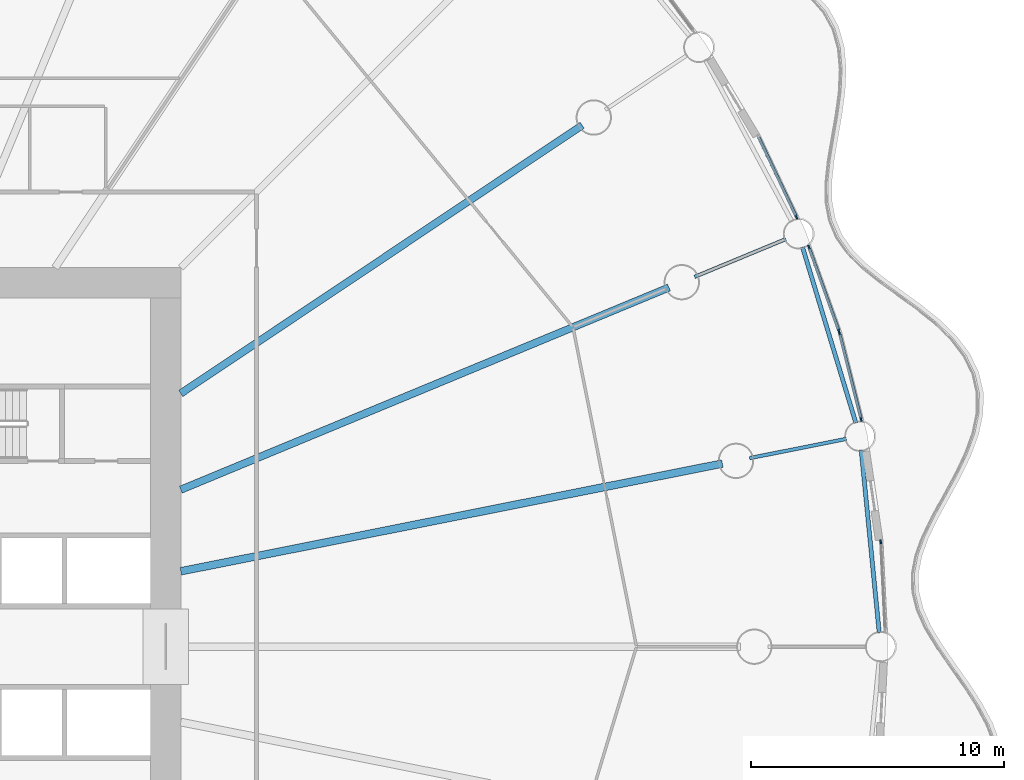
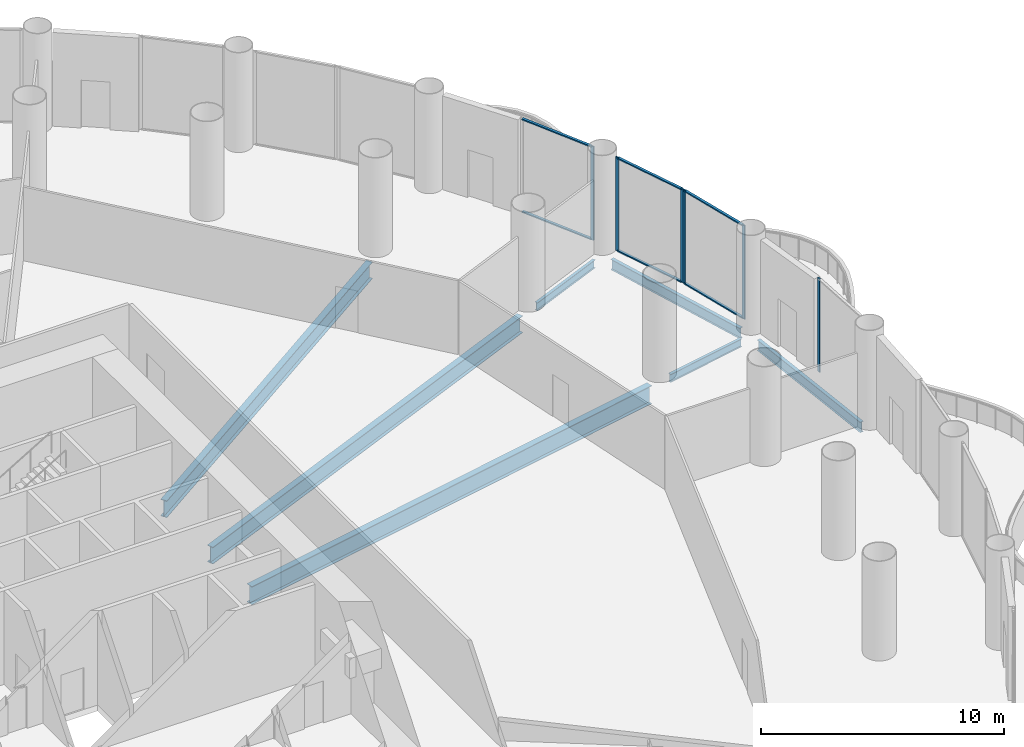
# One storey, part 14 of 36: 12 members, 7 beams, 4 elements without a shape of their own.
"""IFC4 building model written with IfcOpenShell, lengths in metres."""

import ifcopenshell
import ifcopenshell.guid

model = None  # the IFC model being written
_history = None  # IfcOwnerHistory: only IFC2X3 demands one
_inside = {}  # id of a spatial element -> (the spatial element, [elements in it])
_under = {}  # id of a project, library or spatial element -> (it, [spatial elements below it])
_declared = {}  # id of a project -> (the project, [libraries it declares])
_typed = {}  # id of a type object -> (the type object, [elements of that type])
_made_of = {}  # id of a material, layer set ... -> (it, [elements and type objects made of it])


def new_model(schema):
    """Start an empty IFC model of exactly this schema.

    Asked for "IFC4X3", IfcOpenShell would pick the latest addendum, in which some entities
    have other attributes; the version numbers below select the first issue.
    IFC2X3 requires an IfcOwnerHistory on every rooted entity: one is made here for all.
    """
    global model, _history
    if schema == "IFC4X3":
        model = ifcopenshell.file(schema_version=(4, 3, 0, 0))
    else:
        model = ifcopenshell.file(schema=schema)
    _inside.clear()
    _under.clear()
    _declared.clear()
    _typed.clear()
    _made_of.clear()
    _history = None
    if model.schema == "IFC2X3":
        org = make("IfcOrganization", Name="unknown")
        user = make(
            "IfcPersonAndOrganization",
            ThePerson=make("IfcPerson", FamilyName="unknown"),
            TheOrganization=org,
        )
        app = make(
            "IfcApplication",
            ApplicationDeveloper=org,
            Version="unknown",
            ApplicationFullName="unknown",
            ApplicationIdentifier="unknown",
        )
        _history = make(
            "IfcOwnerHistory",
            OwningUser=user,
            OwningApplication=app,
            ChangeAction="ADDED",
            CreationDate=0,
        )
    return model


def make(cls, **values):
    """One entity of the class cls with the attributes given. An attribute that is None is left unset."""
    return model.create_entity(
        cls, **{name: value for name, value in values.items() if value is not None}
    )


def rooted(cls, **values):
    """An entity with a GlobalId (a new one), such as an element, a storey or a relation."""
    return make(cls, GlobalId=ifcopenshell.guid.new(), OwnerHistory=_history, **values)


def si_unit(unit_type, name, prefix=None):
    """IfcSIUnit, for example si_unit("LENGTHUNIT", "METRE", prefix="MILLI")."""
    return make("IfcSIUnit", UnitType=unit_type, Prefix=prefix, Name=name)


def assignment(units):
    """IfcUnitAssignment: the units of a project."""
    return None if units is None else make("IfcUnitAssignment", Units=units)


def point(xyz):
    """IfcCartesianPoint."""
    return None if xyz is None else make("IfcCartesianPoint", Coordinates=xyz)


def direction(xyz):
    """IfcDirection."""
    return None if xyz is None else make("IfcDirection", DirectionRatios=xyz)


def frame(location, z_axis=None, x_axis=None):
    """IfcAxis2Placement3D, a coordinate frame: its origin and axes. An axis left out is left unset."""
    return make(
        "IfcAxis2Placement3D",
        Location=point(location),
        Axis=direction(z_axis),
        RefDirection=direction(x_axis),
    )


def frame_2d(location, x_axis=None):
    """IfcAxis2Placement2D, a coordinate frame in the plane: its origin and x axis."""
    return make(
        "IfcAxis2Placement2D", Location=point(location), RefDirection=direction(x_axis)
    )


def origin():
    """The frame at (0, 0, 0) with its axes left unset."""
    return frame((0.0, 0.0, 0.0))


def origin_2d():
    """The frame at (0, 0) in the plane with its x axis left unset."""
    return frame_2d((0.0, 0.0))


def place(relative_to, where):
    """IfcLocalPlacement: puts the frame where relative to a parent placement (None: the world)."""
    return make(
        "IfcLocalPlacement", PlacementRelTo=relative_to, RelativePlacement=where
    )


def context(
    kind, dimensions, precision=None, world=None, true_north=None, identifier=None
):
    """IfcGeometricRepresentationContext, for example the 3D "Model" context."""
    return make(
        "IfcGeometricRepresentationContext",
        ContextIdentifier=identifier,
        ContextType=kind,
        CoordinateSpaceDimension=dimensions,
        Precision=precision,
        WorldCoordinateSystem=world,
        TrueNorth=true_north,
    )


def subcontext(parent, identifier, kind, view, scale=None):
    """IfcGeometricRepresentationSubContext, for example "Body" below "Model"."""
    return make(
        "IfcGeometricRepresentationSubContext",
        ContextIdentifier=identifier,
        ContextType=kind,
        ParentContext=parent,
        TargetScale=scale,
        TargetView=view,
    )


def project(units=None, contexts=None):
    """IfcProject with its units and contexts."""
    return rooted(
        "IfcProject",
        Name="project",
        RepresentationContexts=contexts,
        UnitsInContext=assignment(units),
    )


def spatial(cls, under=None, at=None, **own):
    """A site, building, storey or space (cls), placed at a placement, below another one or the project."""
    s = rooted(cls, ObjectPlacement=at, **own)
    if under is not None:
        _under.setdefault(under.id(), (under, []))[1].append(s)
    return s


def profile(cls, at=None, kind="AREA", **sizes):
    """A parametric profile (cls). Its sizes go by their IFC names, for example OverallWidth=200.0."""
    return make(cls, ProfileType=kind, Position=at, **sizes)


def rectangle(**sizes):
    """IfcRectangleProfileDef."""
    return profile("IfcRectangleProfileDef", **sizes)


def i_section(**sizes):
    """IfcIShapeProfileDef."""
    return profile("IfcIShapeProfileDef", **sizes)


def extrude(swept, where, along, depth):
    """IfcExtrudedAreaSolid: the profile swept, set in the frame where, extruded along a direction by depth."""
    return make(
        "IfcExtrudedAreaSolid",
        SweptArea=swept,
        Position=where,
        ExtrudedDirection=direction(along),
        Depth=depth,
    )


def shape(context_of_items, identifier, shape_type, items):
    """IfcShapeRepresentation: the items that make up one representation, for example the "Body"."""
    return make(
        "IfcShapeRepresentation",
        ContextOfItems=context_of_items,
        RepresentationIdentifier=identifier,
        RepresentationType=shape_type,
        Items=items,
    )


def material(Name=None, Category=None):
    """IfcMaterial."""
    return make("IfcMaterial", Name=Name, Category=Category)


def material_profile(
    of_material, cross_section, Name=None, Category=None, Priority=None
):
    """IfcMaterialProfile: a cross section and its material."""
    return make(
        "IfcMaterialProfile",
        Name=Name,
        Material=of_material,
        Profile=cross_section,
        Priority=Priority,
        Category=Category,
    )


def profile_set(profiles, Name=None, composite=None):
    """IfcMaterialProfileSet."""
    return make(
        "IfcMaterialProfileSet",
        Name=Name,
        MaterialProfiles=profiles,
        CompositeProfile=composite,
    )


def made_of(thing, what):
    """Note that an element or type object is made of a material, layer set ...; save() writes the relation."""
    if what is not None:
        _made_of.setdefault(what.id(), (what, []))[1].append(thing)
    return thing


def type_object(cls, material=None, **own):
    """A type object (cls), such as IfcWallType, which elements share."""
    return made_of(rooted(cls, **own), material)


def element(
    cls,
    number,
    at=None,
    inside=None,
    cuts=None,
    type_object=None,
    material=None,
    context=None,
    identifier="Body",
    shape_type=None,
    held_by="IfcProductDefinitionShape",
    body=None,
    shapes=None,
    **own,
):
    """One element of the class cls, such as IfcWall. Its Tag is "e" and its number.

    at: its placement. inside: the storey or other place that contains it. cuts: it is an
    opening in that element (IfcRelVoidsElement). A single representation is given by context,
    identifier, shape_type and body (its items); several are given by shapes. held_by: the class
    of the entity that holds the representations. save() writes the other relations.
    """
    e = rooted(cls, Tag="e%d" % number, ObjectPlacement=at, **own)
    if body is not None:
        shapes = [shape(context, identifier, shape_type, body)]
    if shapes is not None:
        e.Representation = make(held_by, Representations=shapes)
    if inside is not None:
        _inside.setdefault(inside.id(), (inside, []))[1].append(e)
    if cuts is not None:
        rooted(
            "IfcRelVoidsElement", RelatingBuildingElement=cuts, RelatedOpeningElement=e
        )
    if type_object is not None:
        _typed.setdefault(type_object.id(), (type_object, []))[1].append(e)
    return made_of(e, material)


def aggregate(whole, parts):
    """IfcRelAggregates: a whole, such as a stair, and the parts it consists of."""
    return rooted("IfcRelAggregates", RelatingObject=whole, RelatedObjects=parts)


def save(model, path):
    """Write the relations noted so far, then the file.

    IfcRelAggregates (storeys below a building ...), IfcRelContainedInSpatialStructure (elements
    in a storey), IfcRelDefinesByType, IfcRelAssociatesMaterial and IfcRelDeclares: one each for
    every whole, place, type object, material and project.
    """
    for whole, parts in _under.values():
        aggregate(whole, parts)
    for where, things in _inside.values():
        rooted(
            "IfcRelContainedInSpatialStructure",
            RelatedElements=things,
            RelatingStructure=where,
        )
    for kind, things in _typed.values():
        rooted("IfcRelDefinesByType", RelatedObjects=things, RelatingType=kind)
    for what, things in _made_of.values():
        rooted("IfcRelAssociatesMaterial", RelatedObjects=things, RelatingMaterial=what)
    for by, libraries in _declared.values():
        rooted("IfcRelDeclares", RelatingContext=by, RelatedDefinitions=libraries)
    model.write(path)


model = new_model("IFC4")

# Units and contexts
model_context = context("Model", 3, precision=1e-05, world=origin(), true_north=direction((0.0, 1.0)))
body_context = subcontext(model_context, "Body", "Model", "MODEL_VIEW")
ifc_project = project(units=[si_unit("LENGTHUNIT", "METRE"), si_unit("AREAUNIT", "SQUARE_METRE"), si_unit("VOLUMEUNIT", "CUBIC_METRE"), si_unit("PLANEANGLEUNIT", "RADIAN"), si_unit("MASSUNIT", "GRAM", prefix="KILO")], contexts=[model_context])

# Site, building, storey
site_placement = place(None, origin())
site = spatial("IfcSite", under=ifc_project, at=site_placement, CompositionType="ELEMENT")
building_placement = place(site_placement, origin())
building = spatial("IfcBuilding", under=site, at=building_placement, Name="Corvane Civic Tower", CompositionType="ELEMENT")
storey_placement = place(building_placement, frame((0.0, 0.0, 17.0)))
storey = spatial("IfcBuildingStorey", under=building, at=storey_placement, Name="L03", CompositionType="ELEMENT", Elevation=17.0)

# Beams
ifc_material_1 = material(Name="Steel ASTM A992 Gr 50", Category="steel")
ifc_material_profile_1 = material_profile(ifc_material_1, i_section(OverallWidth=0.165771484375, OverallDepth=0.5283203125, WebThickness=0.009765625, FlangeThickness=0.013671875, at=origin_2d()), Name="W21X50")
ifc_profile_set_1 = profile_set([ifc_material_profile_1], Name="Steel ASTM A992 Gr 50")
beam_type_1 = type_object("IfcBeamType", Name="EDGE BEAM W21X50", PredefinedType="BEAM", material=ifc_profile_set_1)
for number, where, z_axis, x_axis, name in (
    (1, (39.609375, 15.814208984375, -0.564208984375), (0.290291633127, -0.956938225664, 0.0), (0.956938225664, 0.290291633127, 0.0), "BM-L03-E07"),
    (2, (41.93359375, 7.782958984375, -0.564208984375), (0.097984225478, -0.995187967953, 0.0), (0.995187967953, 0.097984225478, 0.0), "BM-L03-E08"),
):
    element("IfcBeam", number, at=place(storey_placement, frame(where, z_axis=z_axis, x_axis=x_axis)), inside=storey, type_object=beam_type_1, Name=name, PredefinedType="BEAM", context=body_context, shape_type="SweptSolid", body=[
        extrude(i_section(OverallWidth=0.165771484375, OverallDepth=0.5283203125, WebThickness=0.009765625, FlangeThickness=0.013671875, at=origin_2d()), origin(), (0.0, 0.0, 1.0), 7.2705078125),
    ])
ifc_material_2 = material(Name="Steel ASTM A992 Gr 50", Category="steel")
ifc_material_profile_2 = material_profile(ifc_material_2, i_section(OverallWidth=0.140380859375, OverallDepth=0.40380859375, WebThickness=0.007080078125, FlangeThickness=0.01123046875, at=origin_2d()), Name="W16X31")
ifc_profile_set_2 = profile_set([ifc_material_profile_2], Name="Steel ASTM A992 Gr 50")
beam_type_2 = type_object("IfcBeamType", Name="FLOOR GIRDER W16X31", PredefinedType="BEAM", material=ifc_profile_set_2)
for number, where, z_axis, x_axis, name in (
    (3, (35.33837890625, 14.6376953125, -0.501953125), (0.923878730261, 0.382685369162, 0.0), (-0.382685369162, 0.923878730261, 0.0), "BM-L03-G07b"),
    (4, (37.51513671875, 7.462158203125, -0.501953125), (0.980777614264, 0.195128858343, 0.0), (-0.195128858343, 0.980777614264, 0.0), "BM-L03-G08b"),
):
    element("IfcBeam", number, at=place(storey_placement, frame(where, z_axis=z_axis, x_axis=x_axis)), inside=storey, type_object=beam_type_2, Name=name, PredefinedType="BEAM", context=body_context, shape_type="SweptSolid", body=[
        extrude(i_section(OverallWidth=0.140380859375, OverallDepth=0.40380859375, WebThickness=0.007080078125, FlangeThickness=0.01123046875, at=origin_2d()), origin(), (0.0, 0.0, 1.0), 3.89990234375),
    ])
ifc_material_3 = material(Name="Steel ASTM A992 Gr 50", Category="steel")
ifc_material_profile_3 = material_profile(ifc_material_3, i_section(OverallWidth=0.2919921875, OverallDepth=0.845703125, WebThickness=0.015380859375, FlangeThickness=0.0244140625, at=origin_2d()), Name="W33X141")
ifc_profile_set_3 = profile_set([ifc_material_profile_3], Name="Steel ASTM A992 Gr 50")
beam_type_3 = type_object("IfcBeamType", Name="FLOOR GIRDER W33X141", PredefinedType="BEAM", material=ifc_profile_set_3)
beam_1_placement = place(storey_placement, frame((15.0, 10.022705078125, -0.722900390625), z_axis=(0.831471985418, 0.555566681385, 0.0), x_axis=(-0.555566681385, 0.831471985418, 0.0)))
element("IfcBeam", 5, at=beam_1_placement, inside=storey, type_object=beam_type_3, Name="BM-L03-G06", PredefinedType="BEAM", context=body_context, shape_type="SweptSolid", body=[
    extrude(i_section(OverallWidth=0.2919921875, OverallDepth=0.845703125, WebThickness=0.015380859375, FlangeThickness=0.0244140625, at=origin_2d()), origin(), (0.0, 0.0, 1.0), 19.109619140625),
])
beam_2_placement = place(storey_placement, frame((15.0, 6.213134765625, -0.722900390625), z_axis=(0.923875834355, 0.382692360381, 0.0), x_axis=(-0.382692360381, 0.923875834355, 0.0)))
element("IfcBeam", 6, at=beam_2_placement, inside=storey, type_object=beam_type_3, Name="BM-L03-G07", PredefinedType="BEAM", context=body_context, shape_type="SweptSolid", body=[
    extrude(i_section(OverallWidth=0.2919921875, OverallDepth=0.845703125, WebThickness=0.015380859375, FlangeThickness=0.0244140625, at=origin_2d()), origin(), (0.0, 0.0, 1.0), 20.9140625),
])
ifc_material_4 = material(Name="Steel ASTM A992 Gr 50", Category="steel")
ifc_material_profile_4 = material_profile(ifc_material_4, i_section(OverallWidth=0.3046875, OverallDepth=0.911865234375, WebThickness=0.015869140625, FlangeThickness=0.02392578125, at=origin_2d()), Name="W36X150")
ifc_profile_set_4 = profile_set([ifc_material_profile_4], Name="Steel ASTM A992 Gr 50")
beam_type_4 = type_object("IfcBeamType", Name="FLOOR GIRDER W36X150", PredefinedType="BEAM", material=ifc_profile_set_4)
beam_3_placement = place(storey_placement, frame((15.0, 2.983642578125, -0.755859375), z_axis=(0.980785499679, 0.195089219638, 0.0), x_axis=(-0.195089219638, 0.980785499679, 0.0)))
element("IfcBeam", 7, at=beam_3_placement, inside=storey, type_object=beam_type_4, Name="BM-L03-G08", PredefinedType="BEAM", context=body_context, shape_type="SweptSolid", body=[
    extrude(i_section(OverallWidth=0.3046875, OverallDepth=0.911865234375, WebThickness=0.015869140625, FlangeThickness=0.02392578125, at=origin_2d()), origin(), (0.0, 0.0, 1.0), 21.856201171875),
])

# Curtain wall, member
ifc_material_5 = material(Name="Aluminium and glass", Category="aluminium")
curtain_wall_type = type_object("IfcCurtainWallType", Name="PODIUM-CW-P-RUN", PredefinedType="NOTDEFINED", material=ifc_material_5)
curtain_wall_1_placement = place(storey_placement, origin())
curtain_wall_1 = element("IfcCurtainWall", 8, at=curtain_wall_1_placement, inside=storey, type_object=curtain_wall_type, Name="PODI run L03-drum-06B", PredefinedType="NOTDEFINED")
ifc_material_6 = material(Name="Anodised aluminium bronze", Category="aluminium")
ifc_material_profile_5 = material_profile(ifc_material_6, rectangle(XDim=0.06005859375, YDim=0.159912109375, at=origin_2d()), Name="AL 60x160")
ifc_profile_set_5 = profile_set([ifc_material_profile_5], Name="Anodised aluminium bronze")
member_type_1 = type_object("IfcMemberType", Name="PODIUM-CWP-MULLION-60x160", PredefinedType="MULLION", material=ifc_profile_set_5)
member_1_placement = place(storey_placement, frame((39.36767578125, 17.00439453125, 0.0), z_axis=(0.0, 0.0, 1.0), x_axis=(0.903990222454, 0.42755312852, 0.0)))
member_1 = element("IfcMember", 9, at=member_1_placement, type_object=member_type_1, Name="CW-P mullion 2", PredefinedType="MULLION", context=body_context, shape_type="SweptSolid", body=[
    extrude(rectangle(XDim=0.06005859375, YDim=0.159912109375, at=origin_2d()), origin(), (0.0, 0.0, 1.0), 4.699951171875),
])

# Curtain wall, members
curtain_wall_2_placement = place(storey_placement, origin())
curtain_wall_2 = element("IfcCurtainWall", 10, at=curtain_wall_2_placement, inside=storey, type_object=curtain_wall_type, Name="PODI run L03-drum-07A", PredefinedType="NOTDEFINED")
member_2_placement = place(storey_placement, frame((39.861083984375, 15.81298828125, 0.0), z_axis=(0.0, 0.0, 1.0), x_axis=(0.941533802561, 0.336918534123, 0.0)))
member_2 = element("IfcMember", 11, at=member_2_placement, type_object=member_type_1, Name="CW-P mullion 1", PredefinedType="MULLION", context=body_context, shape_type="SweptSolid", body=[
    extrude(rectangle(XDim=0.06005859375, YDim=0.159912109375, at=origin_2d()), origin(), (0.0, 0.0, 1.0), 4.699951171875),
])
member_3_placement = place(storey_placement, frame((41.046875, 12.4990234375, 0.0), z_axis=(0.0, 0.0, 1.0), x_axis=(0.941533802561, 0.336918534123, 0.0)))
member_3 = element("IfcMember", 12, at=member_3_placement, type_object=member_type_1, Name="CW-P mullion 2", PredefinedType="MULLION", context=body_context, shape_type="SweptSolid", body=[
    extrude(rectangle(XDim=0.06005859375, YDim=0.159912109375, at=origin_2d()), origin(), (0.0, 0.0, 1.0), 4.699951171875),
])

curtain_wall_3_placement = place(storey_placement, origin())
curtain_wall_3 = element("IfcCurtainWall", 13, at=curtain_wall_3_placement, inside=storey, type_object=curtain_wall_type, Name="PODI run L03-drum-07B", PredefinedType="NOTDEFINED")
member_4_placement = place(storey_placement, frame((41.0732421875, 12.411865234375, 0.0), z_axis=(0.0, 0.0, 1.0), x_axis=(0.970024070659, 0.243008852393, 0.0)))
member_4 = element("IfcMember", 14, at=member_4_placement, type_object=member_type_1, Name="CW-P mullion 1", PredefinedType="MULLION", context=body_context, shape_type="SweptSolid", body=[
    extrude(rectangle(XDim=0.06005859375, YDim=0.159912109375, at=origin_2d()), origin(), (0.0, 0.0, 1.0), 4.699951171875),
])
member_5_placement = place(storey_placement, frame((41.9287109375, 8.99755859375, 0.0), z_axis=(0.0, 0.0, 1.0), x_axis=(0.970024070659, 0.243008852393, 0.0)))
member_5 = element("IfcMember", 15, at=member_5_placement, type_object=member_type_1, Name="CW-P mullion 2", PredefinedType="MULLION", context=body_context, shape_type="SweptSolid", body=[
    extrude(rectangle(XDim=0.06005859375, YDim=0.159912109375, at=origin_2d()), origin(), (0.0, 0.0, 1.0), 4.699951171875),
])

# Curtain wall, member
curtain_wall_4_placement = place(storey_placement, origin())
curtain_wall_4 = element("IfcCurtainWall", 16, at=curtain_wall_4_placement, inside=storey, type_object=curtain_wall_type, Name="PODI run L03-drum-08B", PredefinedType="NOTDEFINED")
member_6_placement = place(storey_placement, frame((42.70556640625, 4.16064453125, 0.0), z_axis=(0.0, 0.0, 1.0), x_axis=(0.998796316803, 0.04905015332, 0.0)))
member_6 = element("IfcMember", 17, at=member_6_placement, type_object=member_type_1, Name="CW-P mullion 1", PredefinedType="MULLION", context=body_context, shape_type="SweptSolid", body=[
    extrude(rectangle(XDim=0.06005859375, YDim=0.159912109375, at=origin_2d()), origin(), (0.0, 0.0, 1.0), 4.699951171875),
])
aggregate(curtain_wall_4, [member_6])

# Member
ifc_material_7 = material(Name="Anodised aluminium bronze", Category="aluminium")
ifc_material_profile_6 = material_profile(ifc_material_7, rectangle(XDim=0.1201171875, YDim=0.06005859375, at=origin_2d()), Name="AL 120x60")
ifc_profile_set_6 = profile_set([ifc_material_profile_6], Name="Anodised aluminium bronze")
member_type_2 = type_object("IfcMemberType", Name="PODIUM-CWP-TRANSOM-60x120", PredefinedType="USERDEFINED", material=ifc_profile_set_6)
member_7_placement = place(storey_placement, frame((37.87548828125, 20.1591796875, 0.030029296875), z_axis=(0.427546343166, -0.903993431638, 0.0), x_axis=(0.903993431638, 0.427546343166, 0.0)))
member_7 = element("IfcMember", 18, at=member_7_placement, type_object=member_type_2, Name="CW-P transom 1.1", ObjectType="TRANSOM", PredefinedType="USERDEFINED", context=body_context, shape_type="SweptSolid", body=[
    extrude(rectangle(XDim=0.1201171875, YDim=0.06005859375, at=origin_2d()), origin(), (0.0, 0.0, 1.0), 3.4599609375),
])

member_8_placement = place(storey_placement, frame((37.87548828125, 20.1591796875, 4.669921875), z_axis=(0.427546343166, -0.903993431638, 0.0), x_axis=(0.903993431638, 0.427546343166, 0.0)))
member_8 = element("IfcMember", 19, at=member_8_placement, type_object=member_type_2, Name="CW-P transom 1.2", ObjectType="TRANSOM", PredefinedType="USERDEFINED", context=body_context, shape_type="SweptSolid", body=[
    extrude(rectangle(XDim=0.1201171875, YDim=0.06005859375, at=origin_2d()), origin(), (0.0, 0.0, 1.0), 3.4599609375),
])

aggregate(curtain_wall_1, [member_1, member_7, member_8])

member_9_placement = place(storey_placement, frame((39.87109375, 15.78466796875, 0.030029296875), z_axis=(0.336939787896, -0.941526196838, 0.0), x_axis=(0.941526196838, 0.336939787896, 0.0)))
member_9 = element("IfcMember", 20, at=member_9_placement, type_object=member_type_2, Name="CW-P transom 1.1", ObjectType="TRANSOM", PredefinedType="USERDEFINED", context=body_context, shape_type="SweptSolid", body=[
    extrude(rectangle(XDim=0.1201171875, YDim=0.06005859375, at=origin_2d()), origin(), (0.0, 0.0, 1.0), 3.4599609375),
])

member_10_placement = place(storey_placement, frame((39.87109375, 15.78466796875, 4.669921875), z_axis=(0.336939787896, -0.941526196838, 0.0), x_axis=(0.941526196838, 0.336939787896, 0.0)))
member_10 = element("IfcMember", 21, at=member_10_placement, type_object=member_type_2, Name="CW-P transom 1.2", ObjectType="TRANSOM", PredefinedType="USERDEFINED", context=body_context, shape_type="SweptSolid", body=[
    extrude(rectangle(XDim=0.1201171875, YDim=0.06005859375, at=origin_2d()), origin(), (0.0, 0.0, 1.0), 3.4599609375),
])

aggregate(curtain_wall_2, [member_2, member_3, member_9, member_10])

member_11_placement = place(storey_placement, frame((41.08056640625, 12.3828125, 0.030029296875), z_axis=(0.243017080124, -0.970022009425, 0.0), x_axis=(0.970022009425, 0.243017080124, 0.0)))
member_11 = element("IfcMember", 22, at=member_11_placement, type_object=member_type_2, Name="CW-P transom 1.1", ObjectType="TRANSOM", PredefinedType="USERDEFINED", context=body_context, shape_type="SweptSolid", body=[
    extrude(rectangle(XDim=0.1201171875, YDim=0.06005859375, at=origin_2d()), origin(), (0.0, 0.0, 1.0), 3.4599609375),
])

member_12_placement = place(storey_placement, frame((41.08056640625, 12.3828125, 4.669921875), z_axis=(0.243017080124, -0.970022009425, 0.0), x_axis=(0.970022009425, 0.243017080124, 0.0)))
member_12 = element("IfcMember", 23, at=member_12_placement, type_object=member_type_2, Name="CW-P transom 1.2", ObjectType="TRANSOM", PredefinedType="USERDEFINED", context=body_context, shape_type="SweptSolid", body=[
    extrude(rectangle(XDim=0.1201171875, YDim=0.06005859375, at=origin_2d()), origin(), (0.0, 0.0, 1.0), 3.4599609375),
])

aggregate(curtain_wall_3, [member_4, member_5, member_11, member_12])

save(model, "model.ifc")
